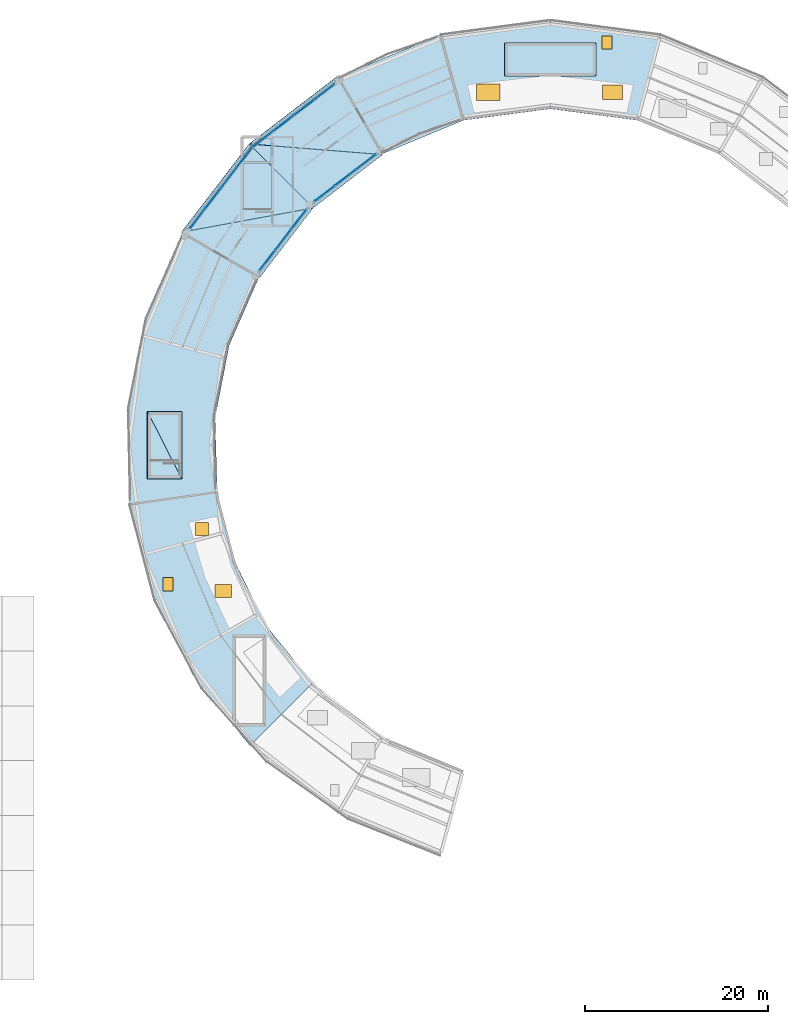
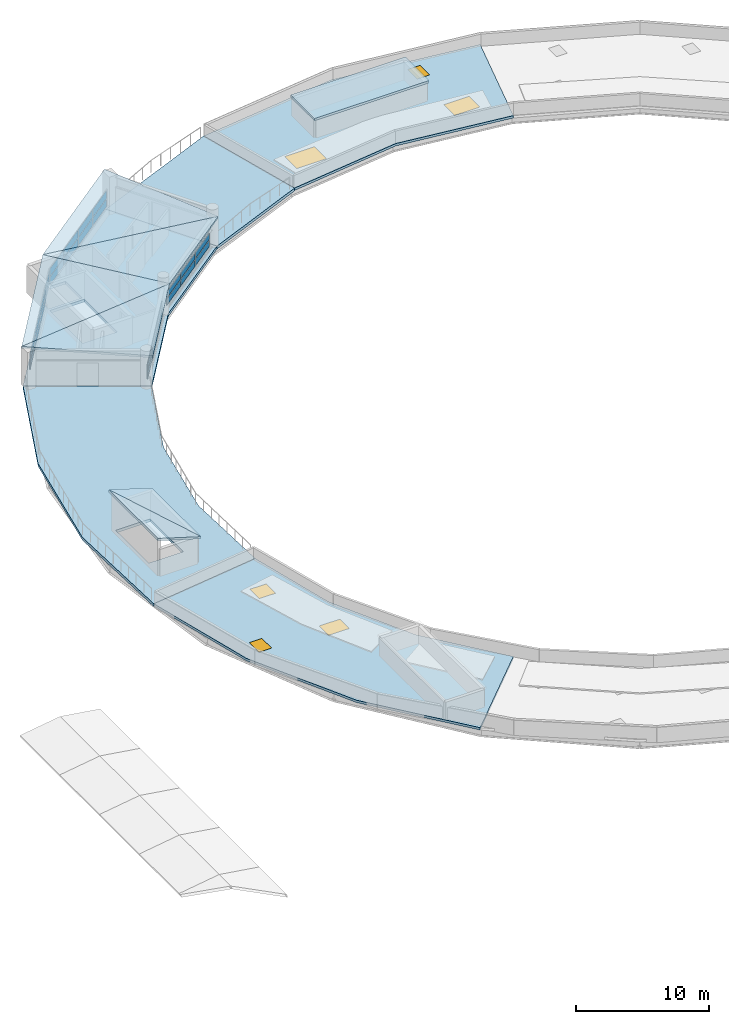
# One storey, part 8 of 12: 28 plates, 12 slabs, 4 windows, 2 doors, 6 openings, 5 elements without a shape of their own.
"""IFC4 building model written with IfcOpenShell, lengths in metres."""

from ifc_helpers import new_model, si_unit, direction, frame, origin, origin_2d, place, context, subcontext, project, spatial, polyline, rectangle, outline, extrude, material, layer, layer_set, type_object, element, fill, aggregate, save


model = new_model("IFC4")

# Units and contexts
model_context = context("Model", 3, precision=1e-05, world=origin(), true_north=direction((0.0, 1.0)))
body_context = subcontext(model_context, "Body", "Model", "MODEL_VIEW")
ifc_project = project(units=[si_unit("LENGTHUNIT", "METRE"), si_unit("AREAUNIT", "SQUARE_METRE"), si_unit("VOLUMEUNIT", "CUBIC_METRE"), si_unit("PLANEANGLEUNIT", "RADIAN"), si_unit("MASSUNIT", "GRAM", prefix="KILO")], contexts=[model_context])

# Site, building, storey
site_placement = place(None, origin())
site = spatial("IfcSite", under=ifc_project, at=site_placement, CompositionType="ELEMENT")
building_placement = place(site_placement, origin())
building = spatial("IfcBuilding", under=site, at=building_placement, Name="Vespera Passage Community Centre", CompositionType="ELEMENT")
storey_placement = place(building_placement, frame((0.0, 0.0, 24.300048828125)))
storey = spatial("IfcBuildingStorey", under=building, at=storey_placement, Name="ROOF", CompositionType="ELEMENT", Elevation=24.300048828125)

# Curtain wall, plates
ifc_material_1 = material(Name="Anodized aluminium 6063-T6", Category="aluminium")
ifc_layer_1 = layer(ifc_material_1, 0.159912109375)
ifc_layer_set_1 = layer_set([ifc_layer_1], Name="Anodized aluminium 6063-T6")
curtain_wall_type_1 = type_object("IfcCurtainWallType", Name="CW-82E", PredefinedType="NOTDEFINED", material=ifc_layer_set_1)
curtain_wall_1_placement = place(storey_placement, origin())
curtain_wall_1 = element("IfcCurtainWall", 1, at=curtain_wall_1_placement, inside=storey, type_object=curtain_wall_type_1, Name="V4 ROOF Inner Court Curtain Wall 9", PredefinedType="NOTDEFINED")
ifc_material_2 = material(Name="Low-E insulated vision glass", Category="glass")
ifc_layer_2 = layer(ifc_material_2, 0.02001953125)
ifc_layer_set_2 = layer_set([ifc_layer_2], Name="Low-E insulated vision glass")
plate_type_1 = type_object("IfcPlateType", Name="PL-CWP-20E", PredefinedType="CURTAIN_PANEL", material=ifc_layer_set_2)
plate_1_placement = place(storey_placement, frame((50.458251953125, 90.191650390625, 0.2099609375), z_axis=(0.0, 0.0, 1.0), x_axis=(-0.608755087843, -0.793358205999, 0.0)))
plate_1 = element("IfcPlate", 2, at=plate_1_placement, type_object=plate_type_1, Name="CW-82E panel 1.1", PredefinedType="CURTAIN_PANEL", context=body_context, shape_type="SweptSolid", body=[
    extrude(rectangle(XDim=2.72900390625, YDim=0.02001953125, at=origin_2d()), origin(), (0.0, 0.0, 1.0), 0.6298828125),
])
plate_2_placement = place(storey_placement, frame((50.458251953125, 90.191650390625, 0.89990234375), z_axis=(0.0, 0.0, 1.0), x_axis=(-0.608755087843, -0.793358205999, 0.0)))
plate_2 = element("IfcPlate", 3, at=plate_2_placement, type_object=plate_type_1, Name="CW-82E panel 1.2", PredefinedType="CURTAIN_PANEL", context=body_context, shape_type="SweptSolid", body=[
    extrude(rectangle(XDim=2.72900390625, YDim=0.02001953125, at=origin_2d()), origin(), (0.0, 0.0, 1.0), 0.6298828125),
])
plate_3_placement = place(storey_placement, frame((48.73974609375, 87.9521484375, 0.2099609375), z_axis=(0.0, 0.0, 1.0), x_axis=(-0.608755087843, -0.793358205999, 0.0)))
plate_3 = element("IfcPlate", 4, at=plate_3_placement, type_object=plate_type_1, Name="CW-82E panel 2.1", PredefinedType="CURTAIN_PANEL", context=body_context, shape_type="SweptSolid", body=[
    extrude(rectangle(XDim=2.7666015625, YDim=0.02001953125, at=origin_2d()), origin(), (0.0, 0.0, 1.0), 0.6298828125),
])
plate_4_placement = place(storey_placement, frame((48.73974609375, 87.9521484375, 0.89990234375), z_axis=(0.0, 0.0, 1.0), x_axis=(-0.608755087843, -0.793358205999, 0.0)))
plate_4 = element("IfcPlate", 5, at=plate_4_placement, type_object=plate_type_1, Name="CW-82E panel 2.2", PredefinedType="CURTAIN_PANEL", context=body_context, shape_type="SweptSolid", body=[
    extrude(rectangle(XDim=2.7666015625, YDim=0.02001953125, at=origin_2d()), origin(), (0.0, 0.0, 1.0), 0.6298828125),
])
plate_5_placement = place(storey_placement, frame((47.021240234375, 85.712646484375, 0.2099609375), z_axis=(0.0, 0.0, 1.0), x_axis=(-0.608755087843, -0.793358205999, 0.0)))
plate_5 = element("IfcPlate", 6, at=plate_5_placement, type_object=plate_type_1, Name="CW-82E panel 3.1", PredefinedType="CURTAIN_PANEL", context=body_context, shape_type="SweptSolid", body=[
    extrude(rectangle(XDim=2.72900390625, YDim=0.02001953125, at=origin_2d()), origin(), (0.0, 0.0, 1.0), 0.6298828125),
])
plate_6_placement = place(storey_placement, frame((47.021240234375, 85.712646484375, 0.89990234375), z_axis=(0.0, 0.0, 1.0), x_axis=(-0.608755087843, -0.793358205999, 0.0)))
plate_6 = element("IfcPlate", 7, at=plate_6_placement, type_object=plate_type_1, Name="CW-82E panel 3.2", PredefinedType="CURTAIN_PANEL", context=body_context, shape_type="SweptSolid", body=[
    extrude(rectangle(XDim=2.72900390625, YDim=0.02001953125, at=origin_2d()), origin(), (0.0, 0.0, 1.0), 0.6298828125),
])
aggregate(curtain_wall_1, [plate_1, plate_2, plate_3, plate_4, plate_5, plate_6])

ifc_material_3 = material(Name="Anodized aluminium 6063-T6", Category="aluminium")
ifc_layer_3 = layer(ifc_material_3, 0.159912109375)
ifc_layer_set_3 = layer_set([ifc_layer_3], Name="Anodized aluminium 6063-T6")
curtain_wall_type_2 = type_object("IfcCurtainWallType", Name="CW-81E", PredefinedType="NOTDEFINED", material=ifc_layer_set_3)
curtain_wall_2_placement = place(storey_placement, origin())
curtain_wall_2 = element("IfcCurtainWall", 8, at=curtain_wall_2_placement, inside=storey, type_object=curtain_wall_type_2, Name="V4 ROOF Outer Ribbon Curtain Wall 9", PredefinedType="NOTDEFINED")
ifc_material_4 = material(Name="Low-E insulated vision glass", Category="glass")
ifc_layer_4 = layer(ifc_material_4, 0.028076171875)
ifc_layer_set_4 = layer_set([ifc_layer_4], Name="Low-E insulated vision glass")
plate_type_2 = type_object("IfcPlateType", Name="PL-CWP-28E", PredefinedType="CURTAIN_PANEL", material=ifc_layer_set_4)
plate_7_placement = place(storey_placement, frame((39.444580078125, 90.333251953125, 0.919921875), z_axis=(0.0, 0.0, 1.0), x_axis=(0.608765222978, 0.793350429062, 0.0)))
plate_7 = element("IfcPlate", 9, at=plate_7_placement, type_object=plate_type_2, Name="CW-81E panel 1.1", PredefinedType="CURTAIN_PANEL", context=body_context, shape_type="SweptSolid", body=[
    extrude(rectangle(XDim=2.703369140625, YDim=0.028076171875, at=origin_2d()), origin(), (0.0, 0.0, 1.0), 0.64990234375),
])
plate_8_placement = place(storey_placement, frame((39.444580078125, 90.333251953125, 1.669921875), z_axis=(0.0, 0.0, 1.0), x_axis=(0.608765222978, 0.793350429062, 0.0)))
plate_8 = element("IfcPlate", 10, at=plate_8_placement, type_object=plate_type_2, Name="CW-81E panel 1.2", PredefinedType="CURTAIN_PANEL", context=body_context, shape_type="SweptSolid", body=[
    extrude(rectangle(XDim=2.703369140625, YDim=0.028076171875, at=origin_2d()), origin(), (0.0, 0.0, 1.0), 0.64990234375),
])
plate_9_placement = place(storey_placement, frame((41.1396484375, 92.54248046875, 0.919921875), z_axis=(0.0, 0.0, 1.0), x_axis=(0.608765222978, 0.793350429062, 0.0)))
plate_9 = element("IfcPlate", 11, at=plate_9_placement, type_object=plate_type_2, Name="CW-81E panel 2.1", PredefinedType="CURTAIN_PANEL", context=body_context, shape_type="SweptSolid", body=[
    extrude(rectangle(XDim=2.73583984375, YDim=0.028076171875, at=origin_2d()), origin(), (0.0, 0.0, 1.0), 0.64990234375),
])
plate_10_placement = place(storey_placement, frame((41.1396484375, 92.54248046875, 1.669921875), z_axis=(0.0, 0.0, 1.0), x_axis=(0.608765222978, 0.793350429062, 0.0)))
plate_10 = element("IfcPlate", 12, at=plate_10_placement, type_object=plate_type_2, Name="CW-81E panel 2.2", PredefinedType="CURTAIN_PANEL", context=body_context, shape_type="SweptSolid", body=[
    extrude(rectangle(XDim=2.73583984375, YDim=0.028076171875, at=origin_2d()), origin(), (0.0, 0.0, 1.0), 0.64990234375),
])
plate_11_placement = place(storey_placement, frame((42.8447265625, 94.764404296875, 0.919921875), z_axis=(0.0, 0.0, 1.0), x_axis=(0.608765222978, 0.793350429062, 0.0)))
plate_11 = element("IfcPlate", 13, at=plate_11_placement, type_object=plate_type_2, Name="CW-81E panel 3.1", PredefinedType="CURTAIN_PANEL", context=body_context, shape_type="SweptSolid", body=[
    extrude(rectangle(XDim=2.73583984375, YDim=0.028076171875, at=origin_2d()), origin(), (0.0, 0.0, 1.0), 0.64990234375),
])
plate_12_placement = place(storey_placement, frame((42.8447265625, 94.764404296875, 1.669921875), z_axis=(0.0, 0.0, 1.0), x_axis=(0.608765222978, 0.793350429062, 0.0)))
plate_12 = element("IfcPlate", 14, at=plate_12_placement, type_object=plate_type_2, Name="CW-81E panel 3.2", PredefinedType="CURTAIN_PANEL", context=body_context, shape_type="SweptSolid", body=[
    extrude(rectangle(XDim=2.73583984375, YDim=0.028076171875, at=origin_2d()), origin(), (0.0, 0.0, 1.0), 0.64990234375),
])
plate_13_placement = place(storey_placement, frame((44.5400390625, 96.9736328125, 0.919921875), z_axis=(0.0, 0.0, 1.0), x_axis=(0.608765222978, 0.793350429062, 0.0)))
plate_13 = element("IfcPlate", 15, at=plate_13_placement, type_object=plate_type_2, Name="CW-81E panel 4.1", PredefinedType="CURTAIN_PANEL", context=body_context, shape_type="SweptSolid", body=[
    extrude(rectangle(XDim=2.703369140625, YDim=0.028076171875, at=origin_2d()), origin(), (0.0, 0.0, 1.0), 0.64990234375),
])
plate_14_placement = place(storey_placement, frame((44.5400390625, 96.9736328125, 1.669921875), z_axis=(0.0, 0.0, 1.0), x_axis=(0.608765222978, 0.793350429062, 0.0)))
plate_14 = element("IfcPlate", 16, at=plate_14_placement, type_object=plate_type_2, Name="CW-81E panel 4.2", PredefinedType="CURTAIN_PANEL", context=body_context, shape_type="SweptSolid", body=[
    extrude(rectangle(XDim=2.703369140625, YDim=0.028076171875, at=origin_2d()), origin(), (0.0, 0.0, 1.0), 0.64990234375),
])
aggregate(curtain_wall_2, [plate_7, plate_8, plate_9, plate_10, plate_11, plate_12, plate_13, plate_14])

ifc_material_5 = material(Name="Anodized aluminium 6063-T6", Category="aluminium")
ifc_layer_5 = layer(ifc_material_5, 0.159912109375)
ifc_layer_set_5 = layer_set([ifc_layer_5], Name="Anodized aluminium 6063-T6")
curtain_wall_type_3 = type_object("IfcCurtainWallType", Name="CW-80E", PredefinedType="NOTDEFINED", material=ifc_layer_set_5)
curtain_wall_3_placement = place(storey_placement, origin())
curtain_wall_3 = element("IfcCurtainWall", 17, at=curtain_wall_3_placement, inside=storey, type_object=curtain_wall_type_3, Name="V4 ROOF Inner Court Curtain Wall 8", PredefinedType="NOTDEFINED")
ifc_material_6 = material(Name="Acoustic triple-glazed vision glass", Category="glass")
ifc_layer_6 = layer(ifc_material_6, 0.035888671875)
ifc_layer_set_6 = layer_set([ifc_layer_6], Name="Acoustic triple-glazed vision glass")
plate_type_3 = type_object("IfcPlateType", Name="PL-CWP-36E", PredefinedType="CURTAIN_PANEL", material=ifc_layer_set_6)
plate_15_placement = place(storey_placement, frame((57.789306640625, 96.480224609375, 0.25), z_axis=(0.0, 0.0, 1.0), x_axis=(-0.793358205999, -0.608755087843, 0.0)))
plate_15 = element("IfcPlate", 18, at=plate_15_placement, type_object=plate_type_3, Name="CW-80E panel 1.1", PredefinedType="CURTAIN_PANEL", context=body_context, shape_type="SweptSolid", body=[
    extrude(rectangle(XDim=2.744140625, YDim=0.035888671875, at=origin_2d()), origin(), (0.0, 0.0, 1.0), 0.56982421875),
])
plate_16_placement = place(storey_placement, frame((57.789306640625, 96.480224609375, 0.919921875), z_axis=(0.0, 0.0, 1.0), x_axis=(-0.793358205999, -0.608755087843, 0.0)))
plate_16 = element("IfcPlate", 19, at=plate_16_placement, type_object=plate_type_3, Name="CW-80E panel 1.2", PredefinedType="CURTAIN_PANEL", context=body_context, shape_type="SweptSolid", body=[
    extrude(rectangle(XDim=2.744140625, YDim=0.035888671875, at=origin_2d()), origin(), (0.0, 0.0, 1.0), 0.56982421875),
])
plate_17_placement = place(storey_placement, frame((55.5478515625, 94.76025390625, 0.25), z_axis=(0.0, 0.0, 1.0), x_axis=(-0.793358205999, -0.608755087843, 0.0)))
plate_17 = element("IfcPlate", 20, at=plate_17_placement, type_object=plate_type_3, Name="CW-80E panel 2.1", PredefinedType="CURTAIN_PANEL", context=body_context, shape_type="SweptSolid", body=[
    extrude(rectangle(XDim=2.776611328125, YDim=0.035888671875, at=origin_2d()), origin(), (0.0, 0.0, 1.0), 0.56982421875),
])
plate_18_placement = place(storey_placement, frame((55.5478515625, 94.76025390625, 0.919921875), z_axis=(0.0, 0.0, 1.0), x_axis=(-0.793358205999, -0.608755087843, 0.0)))
plate_18 = element("IfcPlate", 21, at=plate_18_placement, type_object=plate_type_3, Name="CW-80E panel 2.2", PredefinedType="CURTAIN_PANEL", context=body_context, shape_type="SweptSolid", body=[
    extrude(rectangle(XDim=2.776611328125, YDim=0.035888671875, at=origin_2d()), origin(), (0.0, 0.0, 1.0), 0.56982421875),
])
plate_19_placement = place(storey_placement, frame((53.306396484375, 93.040283203125, 0.25), z_axis=(0.0, 0.0, 1.0), x_axis=(-0.793358205999, -0.608755087843, 0.0)))
plate_19 = element("IfcPlate", 22, at=plate_19_placement, type_object=plate_type_3, Name="CW-80E panel 3.1", PredefinedType="CURTAIN_PANEL", context=body_context, shape_type="SweptSolid", body=[
    extrude(rectangle(XDim=2.744140625, YDim=0.035888671875, at=origin_2d()), origin(), (0.0, 0.0, 1.0), 0.56982421875),
])
plate_20_placement = place(storey_placement, frame((53.306396484375, 93.040283203125, 0.919921875), z_axis=(0.0, 0.0, 1.0), x_axis=(-0.793358205999, -0.608755087843, 0.0)))
plate_20 = element("IfcPlate", 23, at=plate_20_placement, type_object=plate_type_3, Name="CW-80E panel 3.2", PredefinedType="CURTAIN_PANEL", context=body_context, shape_type="SweptSolid", body=[
    extrude(rectangle(XDim=2.744140625, YDim=0.035888671875, at=origin_2d()), origin(), (0.0, 0.0, 1.0), 0.56982421875),
])
aggregate(curtain_wall_3, [plate_15, plate_16, plate_17, plate_18, plate_19, plate_20])

ifc_material_7 = material(Name="Anodized aluminium 6063-T6", Category="aluminium")
ifc_layer_7 = layer(ifc_material_7, 0.159912109375)
ifc_layer_set_7 = layer_set([ifc_layer_7], Name="Anodized aluminium 6063-T6")
curtain_wall_type_4 = type_object("IfcCurtainWallType", Name="CW-79E", PredefinedType="NOTDEFINED", material=ifc_layer_set_7)
curtain_wall_4_placement = place(storey_placement, origin())
curtain_wall_4 = element("IfcCurtainWall", 24, at=curtain_wall_4_placement, inside=storey, type_object=curtain_wall_type_4, Name="V4 ROOF Outer Ribbon Curtain Wall 8", PredefinedType="NOTDEFINED")
ifc_material_8 = material(Name="Translucent glass block", Category="glass")
ifc_layer_8 = layer(ifc_material_8, 0.044921875)
ifc_layer_set_8 = layer_set([ifc_layer_8], Name="Translucent glass block")
plate_type_4 = type_object("IfcPlateType", Name="PL-CWP-45E", PredefinedType="CURTAIN_PANEL", material=ifc_layer_set_8)
plate_21_placement = place(storey_placement, frame((46.54248046875, 98.972412109375, 0.8798828125), z_axis=(0.0, 0.0, 1.0), x_axis=(0.793348128169, 0.608768221519, 0.0)))
plate_21 = element("IfcPlate", 25, at=plate_21_placement, type_object=plate_type_4, Name="CW-79E panel 1.1", PredefinedType="CURTAIN_PANEL", context=body_context, shape_type="SweptSolid", body=[
    extrude(rectangle(XDim=2.72412109375, YDim=0.044921875, at=origin_2d()), origin(), (0.0, 0.0, 1.0), 0.7099609375),
])
plate_22_placement = place(storey_placement, frame((46.54248046875, 98.972412109375, 1.64990234375), z_axis=(0.0, 0.0, 1.0), x_axis=(0.793348128169, 0.608768221519, 0.0)))
plate_22 = element("IfcPlate", 26, at=plate_22_placement, type_object=plate_type_4, Name="CW-79E panel 1.2", PredefinedType="CURTAIN_PANEL", context=body_context, shape_type="SweptSolid", body=[
    extrude(rectangle(XDim=2.72412109375, YDim=0.044921875, at=origin_2d()), origin(), (0.0, 0.0, 1.0), 0.7099609375),
])
plate_23_placement = place(storey_placement, frame((48.778076171875, 100.68798828125, 0.8798828125), z_axis=(0.0, 0.0, 1.0), x_axis=(0.793348128169, 0.608768221519, 0.0)))
plate_23 = element("IfcPlate", 27, at=plate_23_placement, type_object=plate_type_4, Name="CW-79E panel 2.1", PredefinedType="CURTAIN_PANEL", context=body_context, shape_type="SweptSolid", body=[
    extrude(rectangle(XDim=2.76171875, YDim=0.044921875, at=origin_2d()), origin(), (0.0, 0.0, 1.0), 0.7099609375),
])
plate_24_placement = place(storey_placement, frame((48.778076171875, 100.68798828125, 1.64990234375), z_axis=(0.0, 0.0, 1.0), x_axis=(0.793348128169, 0.608768221519, 0.0)))
plate_24 = element("IfcPlate", 28, at=plate_24_placement, type_object=plate_type_4, Name="CW-79E panel 2.2", PredefinedType="CURTAIN_PANEL", context=body_context, shape_type="SweptSolid", body=[
    extrude(rectangle(XDim=2.76171875, YDim=0.044921875, at=origin_2d()), origin(), (0.0, 0.0, 1.0), 0.7099609375),
])
plate_25_placement = place(storey_placement, frame((51.028564453125, 102.414794921875, 0.8798828125), z_axis=(0.0, 0.0, 1.0), x_axis=(0.793348128169, 0.608768221519, 0.0)))
plate_25 = element("IfcPlate", 29, at=plate_25_placement, type_object=plate_type_4, Name="CW-79E panel 3.1", PredefinedType="CURTAIN_PANEL", context=body_context, shape_type="SweptSolid", body=[
    extrude(rectangle(XDim=2.76171875, YDim=0.044921875, at=origin_2d()), origin(), (0.0, 0.0, 1.0), 0.7099609375),
])
plate_26_placement = place(storey_placement, frame((51.028564453125, 102.414794921875, 1.64990234375), z_axis=(0.0, 0.0, 1.0), x_axis=(0.793348128169, 0.608768221519, 0.0)))
plate_26 = element("IfcPlate", 30, at=plate_26_placement, type_object=plate_type_4, Name="CW-79E panel 3.2", PredefinedType="CURTAIN_PANEL", context=body_context, shape_type="SweptSolid", body=[
    extrude(rectangle(XDim=2.76171875, YDim=0.044921875, at=origin_2d()), origin(), (0.0, 0.0, 1.0), 0.7099609375),
])
plate_27_placement = place(storey_placement, frame((53.26416015625, 104.13037109375, 0.8798828125), z_axis=(0.0, 0.0, 1.0), x_axis=(0.793348128169, 0.608768221519, 0.0)))
plate_27 = element("IfcPlate", 31, at=plate_27_placement, type_object=plate_type_4, Name="CW-79E panel 4.1", PredefinedType="CURTAIN_PANEL", context=body_context, shape_type="SweptSolid", body=[
    extrude(rectangle(XDim=2.72412109375, YDim=0.044921875, at=origin_2d()), origin(), (0.0, 0.0, 1.0), 0.7099609375),
])
plate_28_placement = place(storey_placement, frame((53.26416015625, 104.13037109375, 1.64990234375), z_axis=(0.0, 0.0, 1.0), x_axis=(0.793348128169, 0.608768221519, 0.0)))
plate_28 = element("IfcPlate", 32, at=plate_28_placement, type_object=plate_type_4, Name="CW-79E panel 4.2", PredefinedType="CURTAIN_PANEL", context=body_context, shape_type="SweptSolid", body=[
    extrude(rectangle(XDim=2.72412109375, YDim=0.044921875, at=origin_2d()), origin(), (0.0, 0.0, 1.0), 0.7099609375),
])
aggregate(curtain_wall_4, [plate_21, plate_22, plate_23, plate_24, plate_25, plate_26, plate_27, plate_28])

# Roof, slabs, openings, doors, windows
ifc_material_9 = material(Name="Concrete f'c 35 MPa", Category="concrete")
roof_type = type_object("IfcRoofType", Name="RF-FLAT-V4", PredefinedType="FLAT_ROOF", material=ifc_material_9)
roof_placement = place(storey_placement, origin())
roof = element("IfcRoof", 33, at=roof_placement, inside=storey, type_object=roof_type, Name="Lifted Learning Ring Insulated Flat Roof V4", PredefinedType="FLAT_ROOF")
ifc_material_10 = material(Name="Concrete f'c 35 MPa", Category="concrete")
ifc_layer_9 = layer(ifc_material_10, 0.219970703125)
ifc_layer_set_9 = layer_set([ifc_layer_9], Name="Concrete f'c 35 MPa")
slab_type_1 = type_object("IfcSlabType", Name="SL-ROOF-220E", PredefinedType="ROOF", material=ifc_layer_set_9)
slab_1_placement = place(storey_placement, frame((0.0, 0.0, -0.219970703125)))
slab_1 = element("IfcSlab", 34, at=slab_1_placement, inside=storey, type_object=slab_type_1, Name="V4 Main Roof Sector 2 Slab", PredefinedType="ROOF", context=body_context, shape_type="SweptSolid", body=[
    extrude(outline(polyline([(90.03515625, 110.41552734375), (78.0, 112.0), (65.96484375, 110.41552734375), (68.4755859375, 101.046142578125), (78.0, 102.300048828125), (87.5244140625, 101.046142578125), (90.03515625, 110.41552734375)])), origin(), (0.0, 0.0, 1.0), 0.219970703125),
])
opening_1_placement = place(slab_1_placement, frame((84.806884765625, 104.10400390625, 0.0)))
opening_1 = element("IfcOpeningElement", 35, at=opening_1_placement, cuts=slab_1, Name="Opening SK-03E", PredefinedType="OPENING", context=body_context, shape_type="SweptSolid", body=[
    extrude(rectangle(XDim=2.199951171875, YDim=1.60009765625, at=origin_2d()), frame((0.0, 0.0, -0.010009765625)), (0.0, 0.0, 1.0), 0.239990234375),
])
opening_2_placement = place(slab_1_placement, frame((71.193115234375, 104.10400390625, 0.0)))
opening_2 = element("IfcOpeningElement", 36, at=opening_2_placement, cuts=slab_1, Name="Opening SK-04E", PredefinedType="OPENING", context=body_context, shape_type="SweptSolid", body=[
    extrude(rectangle(XDim=2.60009765625, YDim=1.800048828125, at=origin_2d()), frame((0.0, 0.0, -0.010009765625)), (0.0, 0.0, 1.0), 0.239990234375),
])
opening_3_placement = place(slab_1_placement, frame((84.193115234375, 109.56689453125, 0.0)))
opening_3 = element("IfcOpeningElement", 37, at=opening_3_placement, cuts=slab_1, Name="Opening DT-HT02", PredefinedType="OPENING", context=body_context, shape_type="SweptSolid", body=[
    extrude(rectangle(XDim=1.10009765625, YDim=1.449951171875, at=origin_2d()), frame((0.0, 0.0, -0.010009765625)), (0.0, 0.0, 1.0), 0.239990234375),
])
ifc_material_11 = material(Name="Anodized aluminium 6063-T6", Category="aluminium")
door_type = type_object("IfcDoorType", Name="DT-HT02", OperationType="NOTDEFINED", PredefinedType="TRAPDOOR", material=ifc_material_11)
door_1_placement = place(opening_3_placement, frame((0.0, 0.0, 0.169921875)))
door_1 = element("IfcDoor", 38, at=door_1_placement, inside=storey, type_object=door_type, Name="Roof Access Hatch HT-044", OperationType="SINGLE_SWING_LEFT", OverallHeight=1.449951171875, OverallWidth=1.10009765625, PredefinedType="TRAPDOOR", context=body_context, shape_type="SweptSolid", body=[
    extrude(rectangle(XDim=1.10009765625, YDim=1.449951171875, at=origin_2d()), origin(), (0.0, 0.0, 1.0), 0.050048828125),
])
fill(opening_3, door_1)
ifc_material_12 = material(Name="Low-E insulated vision glass", Category="glass")
window_type_1 = type_object("IfcWindowType", Name="SK-03E", PartitioningType="SINGLE_PANEL", PredefinedType="SKYLIGHT", material=ifc_material_12)
window_1_placement = place(opening_1_placement, frame((0.0, 0.0, 0.169921875)))
window_1 = element("IfcWindow", 39, at=window_1_placement, inside=storey, type_object=window_type_1, Name="Library Roof Skylight 4", OverallHeight=1.60009765625, OverallWidth=2.199951171875, PartitioningType="SINGLE_PANEL", PredefinedType="SKYLIGHT", context=body_context, shape_type="SweptSolid", body=[
    extrude(rectangle(XDim=2.199951171875, YDim=1.60009765625, at=origin_2d()), origin(), (0.0, 0.0, 1.0), 0.050048828125),
])
fill(opening_1, window_1)
ifc_material_13 = material(Name="Low-E insulated vision glass", Category="glass")
window_type_2 = type_object("IfcWindowType", Name="SK-04E", PartitioningType="SINGLE_PANEL", PredefinedType="SKYLIGHT", material=ifc_material_13)
window_2_placement = place(opening_2_placement, frame((0.0, 0.0, 0.169921875)))
window_2 = element("IfcWindow", 40, at=window_2_placement, inside=storey, type_object=window_type_2, Name="Library Roof Skylight 5", OverallHeight=1.800048828125, OverallWidth=2.60009765625, PartitioningType="SINGLE_PANEL", PredefinedType="SKYLIGHT", context=body_context, shape_type="SweptSolid", body=[
    extrude(rectangle(XDim=2.60009765625, YDim=1.800048828125, at=origin_2d()), origin(), (0.0, 0.0, 1.0), 0.050048828125),
])
fill(opening_2, window_2)
slab_2_placement = place(storey_placement, frame((0.0, 0.0, -0.219970703125)))
slab_2 = element("IfcSlab", 41, at=slab_2_placement, inside=storey, type_object=slab_type_1, Name="V4 Main Roof Sector 3 Slab", PredefinedType="ROOF", context=body_context, shape_type="SweptSolid", body=[
    extrude(outline(polyline([(31.952392578125, 59.028564453125), (34.397705078125, 49.342041015625), (38.85498046875, 40.401611328125), (45.119384765625, 32.619384765625), (51.978515625, 39.478515625), (47.020751953125, 45.63720703125), (43.4931640625, 52.712646484375), (41.55810546875, 60.37841796875), (31.952392578125, 59.028564453125)])), origin(), (0.0, 0.0, 1.0), 0.219970703125),
])
opening_4_placement = place(slab_2_placement, frame((39.883056640625, 56.34912109375, 0.0)))
opening_4 = element("IfcOpeningElement", 42, at=opening_4_placement, cuts=slab_2, Name="Opening SK-01E", PredefinedType="OPENING", context=body_context, shape_type="SweptSolid", body=[
    extrude(rectangle(XDim=1.39990234375, YDim=1.39990234375, at=origin_2d()), frame((0.0, 0.0, -0.010009765625)), (0.0, 0.0, 1.0), 0.239990234375),
])
opening_5_placement = place(slab_2_placement, frame((42.18896484375, 49.555908203125, 0.0)))
opening_5 = element("IfcOpeningElement", 43, at=opening_5_placement, cuts=slab_2, Name="Opening SK-02E", PredefinedType="OPENING", context=body_context, shape_type="SweptSolid", body=[
    extrude(rectangle(XDim=1.800048828125, YDim=1.39990234375, at=origin_2d()), frame((0.0, 0.0, -0.010009765625)), (0.0, 0.0, 1.0), 0.239990234375),
])
opening_6_placement = place(slab_2_placement, frame((36.18408203125, 50.280029296875, 0.0)))
opening_6 = element("IfcOpeningElement", 44, at=opening_6_placement, cuts=slab_2, Name="Opening DT-HT02", PredefinedType="OPENING", context=body_context, shape_type="SweptSolid", body=[
    extrude(rectangle(XDim=1.10009765625, YDim=1.449951171875, at=origin_2d()), frame((0.0, 0.0, -0.010009765625)), (0.0, 0.0, 1.0), 0.239990234375),
])
door_2_placement = place(opening_6_placement, frame((0.0, 0.0, 0.169921875)))
door_2 = element("IfcDoor", 45, at=door_2_placement, inside=storey, type_object=door_type, Name="Roof Access Hatch HT-045", OperationType="SINGLE_SWING_LEFT", OverallHeight=1.449951171875, OverallWidth=1.10009765625, PredefinedType="TRAPDOOR", context=body_context, shape_type="SweptSolid", body=[
    extrude(rectangle(XDim=1.10009765625, YDim=1.449951171875, at=origin_2d()), origin(), (0.0, 0.0, 1.0), 0.050048828125),
])
fill(opening_6, door_2)
ifc_material_14 = material(Name="Low-E insulated vision glass", Category="glass")
window_type_3 = type_object("IfcWindowType", Name="SK-01E", PartitioningType="SINGLE_PANEL", PredefinedType="SKYLIGHT", material=ifc_material_14)
window_3_placement = place(opening_4_placement, frame((0.0, 0.0, 0.169921875)))
window_3 = element("IfcWindow", 46, at=window_3_placement, inside=storey, type_object=window_type_3, Name="Library Roof Skylight 6", OverallHeight=1.39990234375, OverallWidth=1.39990234375, PartitioningType="SINGLE_PANEL", PredefinedType="SKYLIGHT", context=body_context, shape_type="SweptSolid", body=[
    extrude(rectangle(XDim=1.39990234375, YDim=1.39990234375, at=origin_2d()), origin(), (0.0, 0.0, 1.0), 0.050048828125),
])
fill(opening_4, window_3)
ifc_material_15 = material(Name="Low-E insulated vision glass", Category="glass")
window_type_4 = type_object("IfcWindowType", Name="SK-02E", PartitioningType="SINGLE_PANEL", PredefinedType="SKYLIGHT", material=ifc_material_15)
window_4_placement = place(opening_5_placement, frame((0.0, 0.0, 0.169921875)))
window_4 = element("IfcWindow", 47, at=window_4_placement, inside=storey, type_object=window_type_4, Name="Library Roof Skylight 7", OverallHeight=1.39990234375, OverallWidth=1.800048828125, PartitioningType="SINGLE_PANEL", PredefinedType="SKYLIGHT", context=body_context, shape_type="SweptSolid", body=[
    extrude(rectangle(XDim=1.800048828125, YDim=1.39990234375, at=origin_2d()), origin(), (0.0, 0.0, 1.0), 0.050048828125),
])
fill(opening_5, window_4)

# Slab
slab_3_placement = place(storey_placement, frame((0.0, 0.0, 1.64990234375)))
element("IfcSlab", 48, at=slab_3_placement, inside=storey, type_object=slab_type_1, Name="Core C4 Overrun Roof Cap Slab", PredefinedType="ROOF", context=body_context, shape_type="SweptSolid", body=[
    extrude(outline(polyline([(73.0048828125, 105.89990234375), (82.9951171875, 105.89990234375), (82.9951171875, 109.5), (73.0048828125, 109.5), (73.0048828125, 105.89990234375)])), origin(), (0.0, 0.0, 1.0), 0.219970703125),
])

ifc_material_16 = material(Name="Concrete f'c 35 MPa", Category="concrete")
ifc_layer_10 = layer(ifc_material_16, 0.199951171875)
ifc_layer_set_10 = layer_set([ifc_layer_10], Name="Concrete f'c 35 MPa")
slab_type_2 = type_object("IfcSlabType", Name="SL-SROOF-200E", PredefinedType="ROOF", material=ifc_layer_set_10)
slab_4_placement = place(storey_placement, frame((59.64990234375, 97.283203125, 2.780029296875), z_axis=(0.053740960116, -0.070037051869, 0.996095738657), x_axis=(-0.498084444759, 0.862699454827, 0.087530203535)))
slab_4 = element("IfcSlab", 49, at=slab_4_placement, inside=storey, type_object=slab_type_2, Name="ROOF Belvedere Sloped Roof Facet 1A", PredefinedType="ROOF", context=body_context, shape_type="SweptSolid", body=[
    extrude(outline(polyline([(0.0, 0.0), (9.93797582710748, -5.100087019371813e-16), (8.356314113855927, 12.061683667327472), (0.0, 0.0)])), origin(), (0.0, 0.0, -1.0), 0.199951171875),
])

slab_5_placement = place(storey_placement, frame((59.64990234375, 97.283203125, 2.780029296875), z_axis=(0.053741345119, -0.070032463636, 0.996096040481), x_axis=(-0.995062800504, 0.079597037715, 0.059281823867)))
slab_5 = element("IfcSlab", 50, at=slab_5_placement, inside=storey, type_object=slab_type_2, Name="ROOF Belvedere Sloped Roof Facet 1B", PredefinedType="ROOF", context=body_context, shape_type="SweptSolid", body=[
    extrude(outline(polyline([(0.0, 0.0), (14.673520315864973, 1.6653345369377348e-16), (7.098809051331601, 6.433824735603855), (0.0, 0.0)])), origin(), (0.0, 0.0, -1.0), 0.199951171875),
])

slab_6_placement = place(storey_placement, frame((52.04931640625, 91.45068359375, 2.780029296875), z_axis=(0.070034671042, -0.053739133256, 0.996096004614), x_axis=(-0.704393003059, 0.704393003059, 0.087527107132)))
slab_6 = element("IfcSlab", 51, at=slab_6_placement, inside=storey, type_object=slab_type_2, Name="ROOF Belvedere Sloped Roof Facet 2A", PredefinedType="ROOF", context=body_context, shape_type="SweptSolid", body=[
    extrude(outline(polyline([(0.0, 0.0), (9.938327397983867, -1.7694179454963432e-16), (8.356538618165203, 12.061667004269351), (0.0, 0.0)])), origin(), (0.0, 0.0, -1.0), 0.199951171875),
])

slab_7_placement = place(storey_placement, frame((52.04931640625, 91.45068359375, 2.780029296875), z_axis=(0.070035486615, -0.053743664886, 0.996095702781), x_axis=(-0.981761259455, -0.180639279982, 0.059281362676)))
slab_7 = element("IfcSlab", 52, at=slab_7_placement, inside=storey, type_object=slab_type_2, Name="ROOF Belvedere Sloped Roof Facet 2B", PredefinedType="ROOF", context=body_context, shape_type="SweptSolid", body=[
    extrude(outline(polyline([(0.0, 0.0), (14.67363447134916, 1.8041124150158794e-16), (7.099106091988319, 6.433496978349319), (0.0, 0.0)])), origin(), (0.0, 0.0, -1.0), 0.199951171875),
])

aggregate(roof, [slab_1, slab_2, slab_4, slab_5, slab_6, slab_7])

# Slabs
slab_8_placement = place(storey_placement, frame((37.679931640625, 61.794921875, 2.5), z_axis=(0.292453573899, 0.0, 0.956279722212), x_axis=(0.0, 1.0, 0.0)))
element("IfcSlab", 53, at=slab_8_placement, inside=storey, type_object=slab_type_2, Name="Core C2 Rooftop Stair Headhouse Roof Facet A", PredefinedType="ROOF", context=body_context, shape_type="SweptSolid", body=[
    extrude(outline(polyline([(0.0, 0.0), (7.41015625, 0.0), (7.41015625, 3.931914144250496), (0.0, 0.0)])), origin(), (0.0, 0.0, -1.0), 0.199951171875),
])
slab_9_placement = place(storey_placement, frame((37.679931640625, 61.794921875, 2.5), z_axis=(0.292453573899, 0.0, 0.956279722212), x_axis=(-0.448222932507, 0.883349292088, 0.137077463289)))
element("IfcSlab", 54, at=slab_9_placement, inside=storey, type_object=slab_type_2, Name="Core C2 Rooftop Stair Headhouse Roof Facet B", PredefinedType="ROOF", context=body_context, shape_type="SweptSolid", body=[
    extrude(outline(polyline([(0.0, 0.0), (8.388704577416657, 1.6653345369377348e-16), (1.8429482997144808, 3.4732535758761713), (0.0, 0.0)])), origin(), (0.0, 0.0, -1.0), 0.199951171875),
])
ifc_material_17 = material(Name="Concrete f'c 35 MPa", Category="concrete")
ifc_layer_11 = layer(ifc_material_17, 0.260009765625)
ifc_layer_set_11 = layer_set([ifc_layer_11], Name="Concrete f'c 35 MPa")
slab_type_3 = type_object("IfcSlabType", Name="SL-TERR-260E", PredefinedType="FLOOR", material=ifc_layer_set_11)
slab_10_placement = place(storey_placement, frame((0.0, 0.0, -0.260009765625)))
element("IfcSlab", 55, at=slab_10_placement, inside=storey, type_object=slab_type_3, Name="ROOF Maintenance Access Walkway Slab", PredefinedType="FLOOR", context=body_context, shape_type="SweptSolid", body=[
    extrude(outline(polyline([(65.96484375, 110.41552734375), (54.75, 105.770263671875), (59.60009765625, 97.36962890625), (68.4755859375, 101.046142578125), (65.96484375, 110.41552734375)])), origin(), (0.0, 0.0, 1.0), 0.260009765625),
])
slab_11_placement = place(storey_placement, frame((0.0, 0.0, -0.260009765625)))
element("IfcSlab", 56, at=slab_11_placement, inside=storey, type_object=slab_type_3, Name="ROOF West Exit Stair Access Walkway Slab", PredefinedType="FLOOR", context=body_context, shape_type="SweptSolid", body=[
    extrude(outline(polyline([(46.13037109375, 83.89990234375), (42.87109375, 76.4638671875), (41.322021484375, 68.493896484375), (41.55810546875, 60.37841796875), (31.952392578125, 59.028564453125), (31.654296875, 69.283203125), (33.61181640625, 79.353759765625), (37.729736328125, 88.75), (46.13037109375, 83.89990234375)]), holes=[polyline([(37.300048828125, 68.824951171875), (34.300048828125, 68.824951171875), (34.300048828125, 63.85498046875), (37.300048828125, 63.85498046875), (37.300048828125, 68.824951171875)])]), origin(), (0.0, 0.0, 1.0), 0.260009765625),
])
ifc_material_18 = material(Name="Concrete f'c 35 MPa", Category="concrete")
ifc_layer_12 = layer(ifc_material_18, 0.260009765625)
ifc_layer_set_12 = layer_set([ifc_layer_12], Name="Concrete f'c 35 MPa")
slab_type_4 = type_object("IfcSlabType", Name="SL-UPPER-260", PredefinedType="FLOOR", material=ifc_layer_set_12)
slab_12_placement = place(storey_placement, frame((0.0, 0.0, -0.260009765625)))
element("IfcSlab", 57, at=slab_12_placement, inside=storey, type_object=slab_type_4, Name="ROOF Belvedere Headhouse Floor Slab", PredefinedType="FLOOR", context=body_context, shape_type="SweptSolid", body=[
    extrude(outline(polyline([(51.978515625, 91.521484375), (46.13037109375, 83.89990234375), (37.729736328125, 88.75), (44.48291015625, 97.551025390625), (44.48291015625, 96.568115234375), (47.383056640625, 96.568115234375), (47.383056640625, 99.068115234375), (46.015380859375, 99.068115234375), (54.75, 105.770263671875), (59.60009765625, 97.36962890625), (51.978515625, 91.521484375)]), holes=[polyline([(44.43310546875, 96.327880859375), (44.43310546875, 91.35791015625), (47.43310546875, 91.35791015625), (47.43310546875, 96.327880859375), (44.43310546875, 96.327880859375)])]), origin(), (0.0, 0.0, 1.0), 0.260009765625),
])

save(model, "model.ifc")
